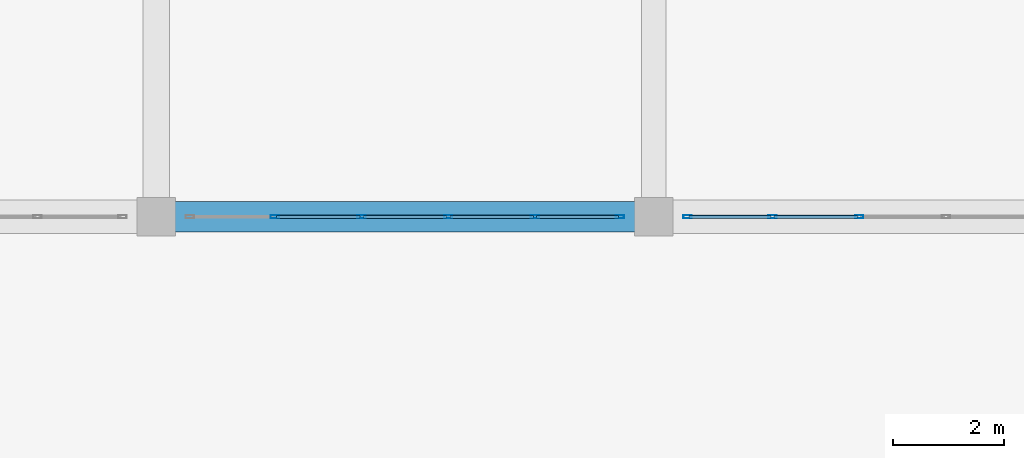
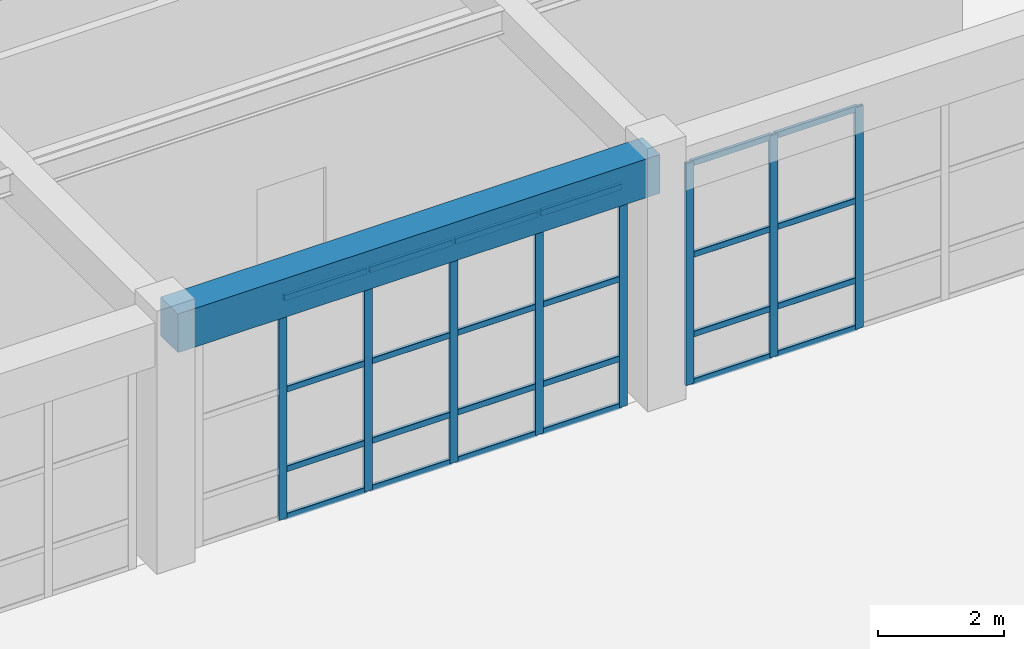
# One storey, part 75 of 128: 32 members, 1 beam, 2 elements without a shape of their own.
"""IFC4 building model written with IfcOpenShell, lengths in metres."""

from ifc_helpers import new_model, si_unit, direction, frame, origin, origin_2d, place, context, subcontext, project, spatial, rectangle, hollow_rectangle, extrude, material, material_profile, profile_set, type_object, element, aggregate, save


model = new_model("IFC4")

# Units and contexts
model_context = context("Model", 3, precision=1e-05, world=origin(), true_north=direction((0.0, 1.0)))
body_context = subcontext(model_context, "Body", "Model", "MODEL_VIEW")
ifc_project = project(units=[si_unit("LENGTHUNIT", "METRE"), si_unit("AREAUNIT", "SQUARE_METRE"), si_unit("VOLUMEUNIT", "CUBIC_METRE"), si_unit("PLANEANGLEUNIT", "RADIAN"), si_unit("MASSUNIT", "GRAM", prefix="KILO")], contexts=[model_context])

# Site, building, storey
site_placement = place(None, origin())
site = spatial("IfcSite", under=ifc_project, at=site_placement, CompositionType="ELEMENT")
building_placement = place(site_placement, origin())
building = spatial("IfcBuilding", under=site, at=building_placement, Name="Miravela Opera House", CompositionType="ELEMENT")
storey_placement = place(building_placement, origin())
storey = spatial("IfcBuildingStorey", under=building, at=storey_placement, Name="L00", CompositionType="ELEMENT", Elevation=0.0)

# Curtain wall, members
ifc_material_1 = material(Name="Anodised architectural bronze aluminium 6063-T6", Category="aluminium")
curtain_wall_type = type_object("IfcCurtainWallType", Name="ARC-CW-06", PredefinedType="NOTDEFINED", material=ifc_material_1)
curtain_wall_1_placement = place(storey_placement, origin())
curtain_wall_1 = element("IfcCurtainWall", 1, at=curtain_wall_1_placement, inside=storey, type_object=curtain_wall_type, Name="Courtyard Arcade Curtain Wall CW-L00-162", PredefinedType="NOTDEFINED")
ifc_material_profile_1 = material_profile(ifc_material_1, hollow_rectangle(XDim=0.06005859375, YDim=0.14990234375, WallThickness=0.00390625, InnerFilletRadius=0.001953125, OuterFilletRadius=0.00390625, at=origin_2d()), Name="CWM-60X150")
ifc_profile_set_1 = profile_set([ifc_material_profile_1])
member_type_1 = type_object("IfcMemberType", Name="ARC-CWM-150", PredefinedType="MULLION", material=ifc_profile_set_1)
member_1_placement = place(storey_placement, frame((128.14794921875, 28.0, 0.0), z_axis=(0.0, 0.0, 1.0), x_axis=(0.0, 1.0, 0.0)))
member_1 = element("IfcMember", 2, at=member_1_placement, type_object=member_type_1, Name="CW-06 mullion 2", PredefinedType="MULLION", context=body_context, shape_type="SweptSolid", body=[
    extrude(hollow_rectangle(XDim=0.06005859375, YDim=0.14990234375, WallThickness=0.00390625, InnerFilletRadius=0.001953125, OuterFilletRadius=0.00390625, at=origin_2d()), origin(), (0.0, 0.0, 1.0), 4.300048828125),
])
member_2_placement = place(storey_placement, frame((129.716064453125, 28.0, 0.0), z_axis=(0.0, 0.0, 1.0), x_axis=(0.0, 1.0, 0.0)))
member_2 = element("IfcMember", 3, at=member_2_placement, type_object=member_type_1, Name="CW-06 mullion 3", PredefinedType="MULLION", context=body_context, shape_type="SweptSolid", body=[
    extrude(hollow_rectangle(XDim=0.06005859375, YDim=0.14990234375, WallThickness=0.00390625, InnerFilletRadius=0.001953125, OuterFilletRadius=0.00390625, at=origin_2d()), origin(), (0.0, 0.0, 1.0), 4.300048828125),
])
member_3_placement = place(storey_placement, frame((131.283935546875, 28.0, 0.0), z_axis=(0.0, 0.0, 1.0), x_axis=(0.0, 1.0, 0.0)))
member_3 = element("IfcMember", 4, at=member_3_placement, type_object=member_type_1, Name="CW-06 mullion 4", PredefinedType="MULLION", context=body_context, shape_type="SweptSolid", body=[
    extrude(hollow_rectangle(XDim=0.06005859375, YDim=0.14990234375, WallThickness=0.00390625, InnerFilletRadius=0.001953125, OuterFilletRadius=0.00390625, at=origin_2d()), origin(), (0.0, 0.0, 1.0), 4.300048828125),
])
member_4_placement = place(storey_placement, frame((132.85205078125, 28.0, 0.0), z_axis=(0.0, 0.0, 1.0), x_axis=(0.0, 1.0, 0.0)))
member_4 = element("IfcMember", 5, at=member_4_placement, type_object=member_type_1, Name="CW-06 mullion 5", PredefinedType="MULLION", context=body_context, shape_type="SweptSolid", body=[
    extrude(hollow_rectangle(XDim=0.06005859375, YDim=0.14990234375, WallThickness=0.00390625, InnerFilletRadius=0.001953125, OuterFilletRadius=0.00390625, at=origin_2d()), origin(), (0.0, 0.0, 1.0), 4.300048828125),
])
member_5_placement = place(storey_placement, frame((134.389892578125, 28.0, 0.0), z_axis=(0.0, 0.0, 1.0), x_axis=(0.0, 1.0, 0.0)))
member_5 = element("IfcMember", 6, at=member_5_placement, type_object=member_type_1, Name="CW-06 mullion 6", PredefinedType="MULLION", context=body_context, shape_type="SweptSolid", body=[
    extrude(hollow_rectangle(XDim=0.06005859375, YDim=0.14990234375, WallThickness=0.00390625, InnerFilletRadius=0.001953125, OuterFilletRadius=0.00390625, at=origin_2d()), origin(), (0.0, 0.0, 1.0), 4.300048828125),
])

curtain_wall_2_placement = place(storey_placement, origin())
curtain_wall_2 = element("IfcCurtainWall", 7, at=curtain_wall_2_placement, inside=storey, type_object=curtain_wall_type, Name="Courtyard Arcade Curtain Wall CW-L00-166", PredefinedType="NOTDEFINED")
member_6_placement = place(storey_placement, frame((135.610107421875, 28.0, 0.0), z_axis=(0.0, 0.0, 1.0), x_axis=(0.0, 1.0, 0.0)))
member_6 = element("IfcMember", 8, at=member_6_placement, type_object=member_type_1, Name="CW-06 mullion 1", PredefinedType="MULLION", context=body_context, shape_type="SweptSolid", body=[
    extrude(hollow_rectangle(XDim=0.06005859375, YDim=0.14990234375, WallThickness=0.00390625, InnerFilletRadius=0.001953125, OuterFilletRadius=0.00390625, at=origin_2d()), origin(), (0.0, 0.0, 1.0), 4.300048828125),
])
member_7_placement = place(storey_placement, frame((137.14794921875, 28.0, 0.0), z_axis=(0.0, 0.0, 1.0), x_axis=(0.0, 1.0, 0.0)))
member_7 = element("IfcMember", 9, at=member_7_placement, type_object=member_type_1, Name="CW-06 mullion 2", PredefinedType="MULLION", context=body_context, shape_type="SweptSolid", body=[
    extrude(hollow_rectangle(XDim=0.06005859375, YDim=0.14990234375, WallThickness=0.00390625, InnerFilletRadius=0.001953125, OuterFilletRadius=0.00390625, at=origin_2d()), origin(), (0.0, 0.0, 1.0), 4.300048828125),
])
member_8_placement = place(storey_placement, frame((138.716064453125, 28.0, 0.0), z_axis=(0.0, 0.0, 1.0), x_axis=(0.0, 1.0, 0.0)))
member_8 = element("IfcMember", 10, at=member_8_placement, type_object=member_type_1, Name="CW-06 mullion 3", PredefinedType="MULLION", context=body_context, shape_type="SweptSolid", body=[
    extrude(hollow_rectangle(XDim=0.06005859375, YDim=0.14990234375, WallThickness=0.00390625, InnerFilletRadius=0.001953125, OuterFilletRadius=0.00390625, at=origin_2d()), origin(), (0.0, 0.0, 1.0), 4.300048828125),
])

# Member
ifc_material_profile_2 = material_profile(ifc_material_1, hollow_rectangle(XDim=0.06005859375, YDim=0.114990234375, WallThickness=0.00390625, InnerFilletRadius=0.001953125, OuterFilletRadius=0.00390625, at=origin_2d()), Name="CWT-60X115")
ifc_profile_set_2 = profile_set([ifc_material_profile_2])
member_type_2 = type_object("IfcMemberType", Name="ARC-CWT-115", PredefinedType="USERDEFINED", material=ifc_profile_set_2)
member_9_placement = place(storey_placement, frame((128.177978515625, 28.0, 0.030029296875), z_axis=(1.0, 0.0, 0.0), x_axis=(0.0, 1.0, 0.0)))
member_9 = element("IfcMember", 11, at=member_9_placement, type_object=member_type_2, Name="CW-06 transom 2.1", ObjectType="TRANSOM", PredefinedType="USERDEFINED", context=body_context, shape_type="SweptSolid", body=[
    extrude(hollow_rectangle(XDim=0.06005859375, YDim=0.114990234375, WallThickness=0.00390625, InnerFilletRadius=0.001953125, OuterFilletRadius=0.00390625, at=origin_2d()), origin(), (0.0, 0.0, 1.0), 1.508056640625),
])

member_10_placement = place(storey_placement, frame((128.177978515625, 28.0, 0.949951171875), z_axis=(1.0, 0.0, 0.0), x_axis=(0.0, 1.0, 0.0)))
member_10 = element("IfcMember", 12, at=member_10_placement, type_object=member_type_2, Name="CW-06 transom 2.2", ObjectType="TRANSOM", PredefinedType="USERDEFINED", context=body_context, shape_type="SweptSolid", body=[
    extrude(hollow_rectangle(XDim=0.06005859375, YDim=0.114990234375, WallThickness=0.00390625, InnerFilletRadius=0.001953125, OuterFilletRadius=0.00390625, at=origin_2d()), origin(), (0.0, 0.0, 1.0), 1.508056640625),
])

member_11_placement = place(storey_placement, frame((128.177978515625, 28.0, 2.493896484375), z_axis=(1.0, 0.0, 0.0), x_axis=(0.0, 1.0, 0.0)))
member_11 = element("IfcMember", 13, at=member_11_placement, type_object=member_type_2, Name="CW-06 transom 2.3", ObjectType="TRANSOM", PredefinedType="USERDEFINED", context=body_context, shape_type="SweptSolid", body=[
    extrude(hollow_rectangle(XDim=0.06005859375, YDim=0.114990234375, WallThickness=0.00390625, InnerFilletRadius=0.001953125, OuterFilletRadius=0.00390625, at=origin_2d()), origin(), (0.0, 0.0, 1.0), 1.508056640625),
])

member_12_placement = place(storey_placement, frame((128.177978515625, 28.0, 4.27001953125), z_axis=(1.0, 0.0, 0.0), x_axis=(0.0, 1.0, 0.0)))
member_12 = element("IfcMember", 14, at=member_12_placement, type_object=member_type_2, Name="CW-06 transom 2.4", ObjectType="TRANSOM", PredefinedType="USERDEFINED", context=body_context, shape_type="SweptSolid", body=[
    extrude(hollow_rectangle(XDim=0.06005859375, YDim=0.114990234375, WallThickness=0.00390625, InnerFilletRadius=0.001953125, OuterFilletRadius=0.00390625, at=origin_2d()), origin(), (0.0, 0.0, 1.0), 1.508056640625),
])

member_13_placement = place(storey_placement, frame((129.74609375, 28.0, 0.030029296875), z_axis=(1.0, 0.0, 0.0), x_axis=(0.0, 1.0, 0.0)))
member_13 = element("IfcMember", 15, at=member_13_placement, type_object=member_type_2, Name="CW-06 transom 3.1", ObjectType="TRANSOM", PredefinedType="USERDEFINED", context=body_context, shape_type="SweptSolid", body=[
    extrude(hollow_rectangle(XDim=0.06005859375, YDim=0.114990234375, WallThickness=0.00390625, InnerFilletRadius=0.001953125, OuterFilletRadius=0.00390625, at=origin_2d()), origin(), (0.0, 0.0, 1.0), 1.5078125),
])

member_14_placement = place(storey_placement, frame((129.74609375, 28.0, 0.949951171875), z_axis=(1.0, 0.0, 0.0), x_axis=(0.0, 1.0, 0.0)))
member_14 = element("IfcMember", 16, at=member_14_placement, type_object=member_type_2, Name="CW-06 transom 3.2", ObjectType="TRANSOM", PredefinedType="USERDEFINED", context=body_context, shape_type="SweptSolid", body=[
    extrude(hollow_rectangle(XDim=0.06005859375, YDim=0.114990234375, WallThickness=0.00390625, InnerFilletRadius=0.001953125, OuterFilletRadius=0.00390625, at=origin_2d()), origin(), (0.0, 0.0, 1.0), 1.5078125),
])

member_15_placement = place(storey_placement, frame((129.74609375, 28.0, 2.493896484375), z_axis=(1.0, 0.0, 0.0), x_axis=(0.0, 1.0, 0.0)))
member_15 = element("IfcMember", 17, at=member_15_placement, type_object=member_type_2, Name="CW-06 transom 3.3", ObjectType="TRANSOM", PredefinedType="USERDEFINED", context=body_context, shape_type="SweptSolid", body=[
    extrude(hollow_rectangle(XDim=0.06005859375, YDim=0.114990234375, WallThickness=0.00390625, InnerFilletRadius=0.001953125, OuterFilletRadius=0.00390625, at=origin_2d()), origin(), (0.0, 0.0, 1.0), 1.5078125),
])

member_16_placement = place(storey_placement, frame((129.74609375, 28.0, 4.27001953125), z_axis=(1.0, 0.0, 0.0), x_axis=(0.0, 1.0, 0.0)))
member_16 = element("IfcMember", 18, at=member_16_placement, type_object=member_type_2, Name="CW-06 transom 3.4", ObjectType="TRANSOM", PredefinedType="USERDEFINED", context=body_context, shape_type="SweptSolid", body=[
    extrude(hollow_rectangle(XDim=0.06005859375, YDim=0.114990234375, WallThickness=0.00390625, InnerFilletRadius=0.001953125, OuterFilletRadius=0.00390625, at=origin_2d()), origin(), (0.0, 0.0, 1.0), 1.5078125),
])

member_17_placement = place(storey_placement, frame((131.31396484375, 28.0, 0.030029296875), z_axis=(1.0, 0.0, 0.0), x_axis=(0.0, 1.0, 0.0)))
member_17 = element("IfcMember", 19, at=member_17_placement, type_object=member_type_2, Name="CW-06 transom 4.1", ObjectType="TRANSOM", PredefinedType="USERDEFINED", context=body_context, shape_type="SweptSolid", body=[
    extrude(hollow_rectangle(XDim=0.06005859375, YDim=0.114990234375, WallThickness=0.00390625, InnerFilletRadius=0.001953125, OuterFilletRadius=0.00390625, at=origin_2d()), origin(), (0.0, 0.0, 1.0), 1.508056640625),
])

member_18_placement = place(storey_placement, frame((131.31396484375, 28.0, 0.949951171875), z_axis=(1.0, 0.0, 0.0), x_axis=(0.0, 1.0, 0.0)))
member_18 = element("IfcMember", 20, at=member_18_placement, type_object=member_type_2, Name="CW-06 transom 4.2", ObjectType="TRANSOM", PredefinedType="USERDEFINED", context=body_context, shape_type="SweptSolid", body=[
    extrude(hollow_rectangle(XDim=0.06005859375, YDim=0.114990234375, WallThickness=0.00390625, InnerFilletRadius=0.001953125, OuterFilletRadius=0.00390625, at=origin_2d()), origin(), (0.0, 0.0, 1.0), 1.508056640625),
])

member_19_placement = place(storey_placement, frame((131.31396484375, 28.0, 2.493896484375), z_axis=(1.0, 0.0, 0.0), x_axis=(0.0, 1.0, 0.0)))
member_19 = element("IfcMember", 21, at=member_19_placement, type_object=member_type_2, Name="CW-06 transom 4.3", ObjectType="TRANSOM", PredefinedType="USERDEFINED", context=body_context, shape_type="SweptSolid", body=[
    extrude(hollow_rectangle(XDim=0.06005859375, YDim=0.114990234375, WallThickness=0.00390625, InnerFilletRadius=0.001953125, OuterFilletRadius=0.00390625, at=origin_2d()), origin(), (0.0, 0.0, 1.0), 1.508056640625),
])

member_20_placement = place(storey_placement, frame((131.31396484375, 28.0, 4.27001953125), z_axis=(1.0, 0.0, 0.0), x_axis=(0.0, 1.0, 0.0)))
member_20 = element("IfcMember", 22, at=member_20_placement, type_object=member_type_2, Name="CW-06 transom 4.4", ObjectType="TRANSOM", PredefinedType="USERDEFINED", context=body_context, shape_type="SweptSolid", body=[
    extrude(hollow_rectangle(XDim=0.06005859375, YDim=0.114990234375, WallThickness=0.00390625, InnerFilletRadius=0.001953125, OuterFilletRadius=0.00390625, at=origin_2d()), origin(), (0.0, 0.0, 1.0), 1.508056640625),
])

member_21_placement = place(storey_placement, frame((132.882080078125, 28.0, 0.030029296875), z_axis=(1.0, 0.0, 0.0), x_axis=(0.0, 1.0, 0.0)))
member_21 = element("IfcMember", 23, at=member_21_placement, type_object=member_type_2, Name="CW-06 transom 5.1", ObjectType="TRANSOM", PredefinedType="USERDEFINED", context=body_context, shape_type="SweptSolid", body=[
    extrude(hollow_rectangle(XDim=0.06005859375, YDim=0.114990234375, WallThickness=0.00390625, InnerFilletRadius=0.001953125, OuterFilletRadius=0.00390625, at=origin_2d()), origin(), (0.0, 0.0, 1.0), 1.47802734375),
])

member_22_placement = place(storey_placement, frame((132.882080078125, 28.0, 0.949951171875), z_axis=(1.0, 0.0, 0.0), x_axis=(0.0, 1.0, 0.0)))
member_22 = element("IfcMember", 24, at=member_22_placement, type_object=member_type_2, Name="CW-06 transom 5.2", ObjectType="TRANSOM", PredefinedType="USERDEFINED", context=body_context, shape_type="SweptSolid", body=[
    extrude(hollow_rectangle(XDim=0.06005859375, YDim=0.114990234375, WallThickness=0.00390625, InnerFilletRadius=0.001953125, OuterFilletRadius=0.00390625, at=origin_2d()), origin(), (0.0, 0.0, 1.0), 1.47802734375),
])

member_23_placement = place(storey_placement, frame((132.882080078125, 28.0, 2.493896484375), z_axis=(1.0, 0.0, 0.0), x_axis=(0.0, 1.0, 0.0)))
member_23 = element("IfcMember", 25, at=member_23_placement, type_object=member_type_2, Name="CW-06 transom 5.3", ObjectType="TRANSOM", PredefinedType="USERDEFINED", context=body_context, shape_type="SweptSolid", body=[
    extrude(hollow_rectangle(XDim=0.06005859375, YDim=0.114990234375, WallThickness=0.00390625, InnerFilletRadius=0.001953125, OuterFilletRadius=0.00390625, at=origin_2d()), origin(), (0.0, 0.0, 1.0), 1.47802734375),
])

member_24_placement = place(storey_placement, frame((132.882080078125, 28.0, 4.27001953125), z_axis=(1.0, 0.0, 0.0), x_axis=(0.0, 1.0, 0.0)))
member_24 = element("IfcMember", 26, at=member_24_placement, type_object=member_type_2, Name="CW-06 transom 5.4", ObjectType="TRANSOM", PredefinedType="USERDEFINED", context=body_context, shape_type="SweptSolid", body=[
    extrude(hollow_rectangle(XDim=0.06005859375, YDim=0.114990234375, WallThickness=0.00390625, InnerFilletRadius=0.001953125, OuterFilletRadius=0.00390625, at=origin_2d()), origin(), (0.0, 0.0, 1.0), 1.47802734375),
])

aggregate(curtain_wall_1, [member_1, member_2, member_3, member_4, member_5, member_9, member_10, member_11, member_12, member_13, member_14, member_15, member_16, member_17, member_18, member_19, member_20, member_21, member_22, member_23, member_24])

member_25_placement = place(storey_placement, frame((135.639892578125, 28.0, 0.030029296875), z_axis=(1.0, 0.0, 0.0), x_axis=(0.0, 1.0, 0.0)))
member_25 = element("IfcMember", 27, at=member_25_placement, type_object=member_type_2, Name="CW-06 transom 1.1", ObjectType="TRANSOM", PredefinedType="USERDEFINED", context=body_context, shape_type="SweptSolid", body=[
    extrude(hollow_rectangle(XDim=0.06005859375, YDim=0.114990234375, WallThickness=0.00390625, InnerFilletRadius=0.001953125, OuterFilletRadius=0.00390625, at=origin_2d()), origin(), (0.0, 0.0, 1.0), 1.47802734375),
])

member_26_placement = place(storey_placement, frame((135.639892578125, 28.0, 0.949951171875), z_axis=(1.0, 0.0, 0.0), x_axis=(0.0, 1.0, 0.0)))
member_26 = element("IfcMember", 28, at=member_26_placement, type_object=member_type_2, Name="CW-06 transom 1.2", ObjectType="TRANSOM", PredefinedType="USERDEFINED", context=body_context, shape_type="SweptSolid", body=[
    extrude(hollow_rectangle(XDim=0.06005859375, YDim=0.114990234375, WallThickness=0.00390625, InnerFilletRadius=0.001953125, OuterFilletRadius=0.00390625, at=origin_2d()), origin(), (0.0, 0.0, 1.0), 1.47802734375),
])

member_27_placement = place(storey_placement, frame((135.639892578125, 28.0, 2.493896484375), z_axis=(1.0, 0.0, 0.0), x_axis=(0.0, 1.0, 0.0)))
member_27 = element("IfcMember", 29, at=member_27_placement, type_object=member_type_2, Name="CW-06 transom 1.3", ObjectType="TRANSOM", PredefinedType="USERDEFINED", context=body_context, shape_type="SweptSolid", body=[
    extrude(hollow_rectangle(XDim=0.06005859375, YDim=0.114990234375, WallThickness=0.00390625, InnerFilletRadius=0.001953125, OuterFilletRadius=0.00390625, at=origin_2d()), origin(), (0.0, 0.0, 1.0), 1.47802734375),
])

member_28_placement = place(storey_placement, frame((135.639892578125, 28.0, 4.27001953125), z_axis=(1.0, 0.0, 0.0), x_axis=(0.0, 1.0, 0.0)))
member_28 = element("IfcMember", 30, at=member_28_placement, type_object=member_type_2, Name="CW-06 transom 1.4", ObjectType="TRANSOM", PredefinedType="USERDEFINED", context=body_context, shape_type="SweptSolid", body=[
    extrude(hollow_rectangle(XDim=0.06005859375, YDim=0.114990234375, WallThickness=0.00390625, InnerFilletRadius=0.001953125, OuterFilletRadius=0.00390625, at=origin_2d()), origin(), (0.0, 0.0, 1.0), 1.47802734375),
])

member_29_placement = place(storey_placement, frame((137.177978515625, 28.0, 0.030029296875), z_axis=(1.0, 0.0, 0.0), x_axis=(0.0, 1.0, 0.0)))
member_29 = element("IfcMember", 31, at=member_29_placement, type_object=member_type_2, Name="CW-06 transom 2.1", ObjectType="TRANSOM", PredefinedType="USERDEFINED", context=body_context, shape_type="SweptSolid", body=[
    extrude(hollow_rectangle(XDim=0.06005859375, YDim=0.114990234375, WallThickness=0.00390625, InnerFilletRadius=0.001953125, OuterFilletRadius=0.00390625, at=origin_2d()), origin(), (0.0, 0.0, 1.0), 1.508056640625),
])

member_30_placement = place(storey_placement, frame((137.177978515625, 28.0, 0.949951171875), z_axis=(1.0, 0.0, 0.0), x_axis=(0.0, 1.0, 0.0)))
member_30 = element("IfcMember", 32, at=member_30_placement, type_object=member_type_2, Name="CW-06 transom 2.2", ObjectType="TRANSOM", PredefinedType="USERDEFINED", context=body_context, shape_type="SweptSolid", body=[
    extrude(hollow_rectangle(XDim=0.06005859375, YDim=0.114990234375, WallThickness=0.00390625, InnerFilletRadius=0.001953125, OuterFilletRadius=0.00390625, at=origin_2d()), origin(), (0.0, 0.0, 1.0), 1.508056640625),
])

member_31_placement = place(storey_placement, frame((137.177978515625, 28.0, 2.493896484375), z_axis=(1.0, 0.0, 0.0), x_axis=(0.0, 1.0, 0.0)))
member_31 = element("IfcMember", 33, at=member_31_placement, type_object=member_type_2, Name="CW-06 transom 2.3", ObjectType="TRANSOM", PredefinedType="USERDEFINED", context=body_context, shape_type="SweptSolid", body=[
    extrude(hollow_rectangle(XDim=0.06005859375, YDim=0.114990234375, WallThickness=0.00390625, InnerFilletRadius=0.001953125, OuterFilletRadius=0.00390625, at=origin_2d()), origin(), (0.0, 0.0, 1.0), 1.508056640625),
])

member_32_placement = place(storey_placement, frame((137.177978515625, 28.0, 4.27001953125), z_axis=(1.0, 0.0, 0.0), x_axis=(0.0, 1.0, 0.0)))
member_32 = element("IfcMember", 34, at=member_32_placement, type_object=member_type_2, Name="CW-06 transom 2.4", ObjectType="TRANSOM", PredefinedType="USERDEFINED", context=body_context, shape_type="SweptSolid", body=[
    extrude(hollow_rectangle(XDim=0.06005859375, YDim=0.114990234375, WallThickness=0.00390625, InnerFilletRadius=0.001953125, OuterFilletRadius=0.00390625, at=origin_2d()), origin(), (0.0, 0.0, 1.0), 1.508056640625),
])

aggregate(curtain_wall_2, [member_6, member_7, member_8, member_25, member_26, member_27, member_28, member_29, member_30, member_31, member_32])

# Beam
ifc_material_2 = material(Name="Concrete C35/45", Category="concrete")
ifc_material_profile_3 = material_profile(ifc_material_2, rectangle(XDim=0.550048828125, YDim=0.75, at=origin_2d()), Name="RC-BM-550X750")
ifc_profile_set_3 = profile_set([ifc_material_profile_3])
beam_type = type_object("IfcBeamType", Name="STR-BM-RC550X750", PredefinedType="BEAM", material=ifc_profile_set_3)
beam_placement = place(storey_placement, frame((126.080078125, 28.0, 4.47509765625), z_axis=(1.0, 0.0, 0.0), x_axis=(0.0, 1.0, 0.0)))
element("IfcBeam", 35, at=beam_placement, inside=storey, type_object=beam_type, Name="Floor Girder L00 15-16/D", PredefinedType="BEAM", context=body_context, shape_type="SweptSolid", body=[
    extrude(rectangle(XDim=0.550048828125, YDim=0.75, at=origin_2d()), origin(), (0.0, 0.0, 1.0), 8.83984375),
])

save(model, "model.ifc")
